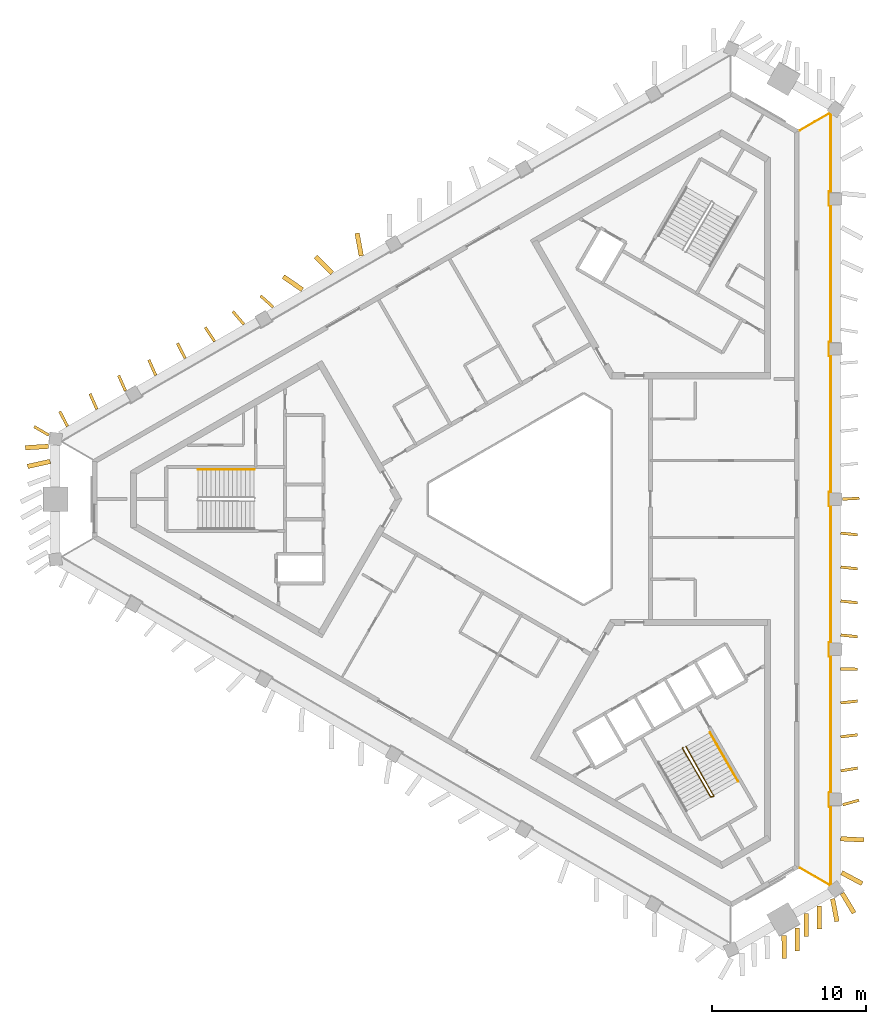
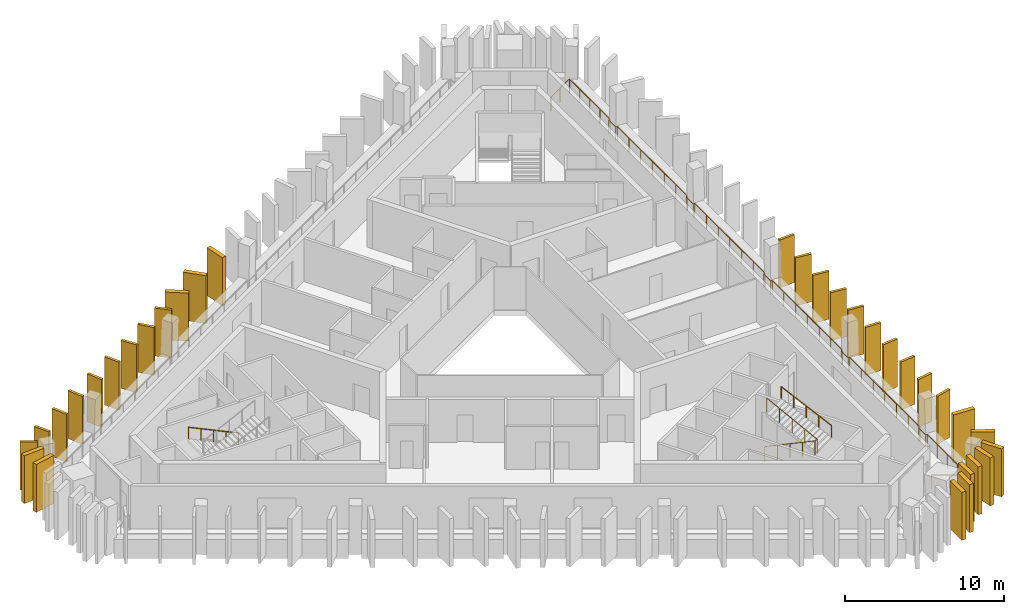
# One storey, part 8 of 9: 32 shading devices, 4 railings.
"""IFC4 building model written with IfcOpenShell, lengths in metres."""

from ifc_helpers import new_model, si_unit, direction, frame, frame_2d, origin, origin_2d, place, context, subcontext, project, spatial, rectangle, circle, extrude, material, layer, layer_set, type_object, element, save


model = new_model("IFC4")

# Units and contexts
model_context = context("Model", 3, precision=1e-05, world=origin(), true_north=direction((0.0, 1.0)))
body_context = subcontext(model_context, "Body", "Model", "MODEL_VIEW")
ifc_project = project(units=[si_unit("LENGTHUNIT", "METRE"), si_unit("AREAUNIT", "SQUARE_METRE"), si_unit("VOLUMEUNIT", "CUBIC_METRE"), si_unit("PLANEANGLEUNIT", "RADIAN"), si_unit("MASSUNIT", "GRAM", prefix="KILO")], contexts=[model_context])

# Site, building, storey
site_placement = place(None, origin())
site = spatial("IfcSite", under=ifc_project, at=site_placement, CompositionType="ELEMENT")
building_placement = place(site_placement, origin())
building = spatial("IfcBuilding", under=site, at=building_placement, Name="Jabali Bay Hotel Tower and Convention Centre", CompositionType="ELEMENT")
storey_placement = place(building_placement, frame((0.0, 0.0, 273.800048828125)))
storey = spatial("IfcBuildingStorey", under=building, at=storey_placement, Name="L67", CompositionType="ELEMENT", Elevation=273.800048828125)

# Railing
ifc_material_1 = material(Name="Glass", Category="glass")
railing_type_1 = type_object("IfcRailingType", Name="Loggia glass guard 1100", PredefinedType="BALUSTRADE", material=ifc_material_1)
railing_1_placement = place(storey_placement, frame((91.77783203125, 103.89501953125, 0.0)))
element("IfcRailing", 1, at=railing_1_placement, inside=storey, type_object=railing_type_1, Name="Loggia glass guard L67", PredefinedType="BALUSTRADE", context=body_context, shape_type="SweptSolid", body=[
    extrude(circle(Radius=0.02490234375, at=origin_2d()), frame((0.0, 0.0, 1.0751953125), z_axis=(0.866035472144, 0.499982560684, 0.0), x_axis=(-0.495705140567, 0.858626418625, 0.13052619222)), (0.0, 0.0, 1.0), 2.27490234375),
    extrude(circle(Radius=0.02490234375, at=origin_2d()), frame((1.97021484375, 1.137451171875, 1.0751953125), z_axis=(0.798426583615, -0.602092177808, 0.0), x_axis=(0.596941195761, 0.791595933509, 0.13052619222)), (0.0, 0.0, 1.0), 0.037353515625),
    extrude(circle(Radius=0.02490234375, at=origin_2d()), frame((2.0, 1.114990234375, 1.0751953125), z_axis=(0.0, -1.0, 0.0), x_axis=(0.991444861374, 0.0, 0.13052619222)), (0.0, 0.0, 1.0), 5.080078125),
    extrude(circle(Radius=0.02490234375, at=origin_2d()), frame((2.0, -3.965087890625, 1.0751953125), z_axis=(-1.0, 0.0, 0.0), x_axis=(0.0, -0.991444861374, 0.13052619222)), (0.0, 0.0, 1.0), 0.099853515625),
    extrude(circle(Radius=0.02490234375, at=origin_2d()), frame((1.900146484375, -3.965087890625, 1.0751953125), z_axis=(0.0, -1.0, 0.0), x_axis=(0.991444861374, 0.0, 0.13052619222)), (0.0, 0.0, 1.0), 0.89990234375),
    extrude(circle(Radius=0.02490234375, at=origin_2d()), frame((1.900146484375, -4.864990234375, 1.0751953125), z_axis=(1.0, 0.0, 0.0), x_axis=(0.0, 0.991444861374, 0.13052619222)), (0.0, 0.0, 1.0), 0.099853515625),
    extrude(circle(Radius=0.02490234375, at=origin_2d()), frame((2.0, -4.864990234375, 1.0751953125), z_axis=(0.0, -1.0, 0.0), x_axis=(0.991444861374, 0.0, 0.13052619222)), (0.0, 0.0, 1.0), 8.840087890625),
    extrude(circle(Radius=0.02490234375, at=origin_2d()), frame((2.0, -13.705078125, 1.0751953125), z_axis=(-1.0, 0.0, 0.0), x_axis=(0.0, -0.991444861374, 0.13052619222)), (0.0, 0.0, 1.0), 0.099853515625),
    extrude(circle(Radius=0.02490234375, at=origin_2d()), frame((1.900146484375, -13.705078125, 1.0751953125), z_axis=(0.0, -1.0, 0.0), x_axis=(0.991444861374, 0.0, 0.13052619222)), (0.0, 0.0, 1.0), 0.89990234375),
    extrude(circle(Radius=0.02490234375, at=origin_2d()), frame((1.900146484375, -14.60498046875, 1.0751953125), z_axis=(1.0, 0.0, 0.0), x_axis=(0.0, 0.991444861374, 0.13052619222)), (0.0, 0.0, 1.0), 0.099853515625),
    extrude(circle(Radius=0.02490234375, at=origin_2d()), frame((2.0, -14.60498046875, 1.0751953125), z_axis=(0.0, -1.0, 0.0), x_axis=(0.991444861374, 0.0, 0.13052619222)), (0.0, 0.0, 1.0), 8.840087890625),
    extrude(circle(Radius=0.02490234375, at=origin_2d()), frame((2.0, -23.445068359375, 1.0751953125), z_axis=(-1.0, 0.0, 0.0), x_axis=(0.0, -0.991444861374, 0.13052619222)), (0.0, 0.0, 1.0), 0.099853515625),
    extrude(circle(Radius=0.02490234375, at=origin_2d()), frame((1.900146484375, -23.445068359375, 1.0751953125), z_axis=(0.0, -1.0, 0.0), x_axis=(0.991444861374, 0.0, 0.13052619222)), (0.0, 0.0, 1.0), 0.89990234375),
    extrude(circle(Radius=0.02490234375, at=origin_2d()), frame((1.900146484375, -24.344970703125, 1.0751953125), z_axis=(1.0, 0.0, 0.0), x_axis=(0.0, 0.991444861374, 0.13052619222)), (0.0, 0.0, 1.0), 0.099853515625),
    extrude(circle(Radius=0.02490234375, at=origin_2d()), frame((2.0, -24.344970703125, 1.0751953125), z_axis=(0.0, -1.0, 0.0), x_axis=(0.991444861374, 0.0, 0.13052619222)), (0.0, 0.0, 1.0), 8.840087890625),
    extrude(circle(Radius=0.02490234375, at=origin_2d()), frame((2.0, -33.18505859375, 1.0751953125), z_axis=(-1.0, 0.0, 0.0), x_axis=(0.0, -0.991444861374, 0.13052619222)), (0.0, 0.0, 1.0), 0.099853515625),
    extrude(circle(Radius=0.02490234375, at=origin_2d()), frame((1.900146484375, -33.18505859375, 1.0751953125), z_axis=(0.0, -1.0, 0.0), x_axis=(0.991444861374, 0.0, 0.13052619222)), (0.0, 0.0, 1.0), 0.89990234375),
    extrude(circle(Radius=0.02490234375, at=origin_2d()), frame((1.900146484375, -34.0849609375, 1.0751953125), z_axis=(1.0, 0.0, 0.0), x_axis=(0.0, 0.991444861374, 0.13052619222)), (0.0, 0.0, 1.0), 0.099853515625),
    extrude(circle(Radius=0.02490234375, at=origin_2d()), frame((2.0, -34.0849609375, 1.0751953125), z_axis=(0.0, -1.0, 0.0), x_axis=(0.991444861374, 0.0, 0.13052619222)), (0.0, 0.0, 1.0), 8.840087890625),
    extrude(circle(Radius=0.02490234375, at=origin_2d()), frame((2.0, -42.925048828125, 1.0751953125), z_axis=(-1.0, 0.0, 0.0), x_axis=(0.0, -0.991444861374, 0.13052619222)), (0.0, 0.0, 1.0), 0.099853515625),
    extrude(circle(Radius=0.02490234375, at=origin_2d()), frame((1.900146484375, -42.925048828125, 1.0751953125), z_axis=(0.0, -1.0, 0.0), x_axis=(0.991444861374, 0.0, 0.13052619222)), (0.0, 0.0, 1.0), 0.89990234375),
    extrude(circle(Radius=0.02490234375, at=origin_2d()), frame((1.900146484375, -43.824951171875, 1.0751953125), z_axis=(1.0, 0.0, 0.0), x_axis=(0.0, 0.991444861374, 0.13052619222)), (0.0, 0.0, 1.0), 0.099853515625),
    extrude(circle(Radius=0.02490234375, at=origin_2d()), frame((2.0, -43.824951171875, 1.0751953125), z_axis=(0.0, -1.0, 0.0), x_axis=(0.991444861374, 0.0, 0.13052619222)), (0.0, 0.0, 1.0), 5.080078125),
    extrude(circle(Radius=0.02490234375, at=origin_2d()), frame((2.0, -48.905029296875, 1.0751953125), z_axis=(-0.798426583615, -0.602092177808, 0.0), x_axis=(0.596941195761, -0.791595933509, 0.13052619222)), (0.0, 0.0, 1.0), 0.037353515625),
    extrude(circle(Radius=0.02490234375, at=origin_2d()), frame((1.97021484375, -48.927490234375, 1.0751953125), z_axis=(-0.866035472144, 0.499982560684, 0.0), x_axis=(-0.495705140567, -0.858626418625, 0.13052619222)), (0.0, 0.0, 1.0), 2.27490234375),
    extrude(circle(Radius=0.02001953125, at=origin_2d()), origin(), (0.0, 0.0, 1.0), 1.050048828125),
    extrude(circle(Radius=0.02001953125, at=origin_2d()), frame((0.985107421875, 0.56884765625, 0.0)), (0.0, 0.0, 1.0), 1.050048828125),
    extrude(circle(Radius=0.02001953125, at=origin_2d()), frame((1.97021484375, 1.137451171875, 0.0)), (0.0, 0.0, 1.0), 1.050048828125),
    extrude(circle(Radius=0.02001953125, at=origin_2d()), frame((2.0, 1.114990234375, 0.0)), (0.0, 0.0, 1.0), 1.050048828125),
    extrude(circle(Radius=0.02001953125, at=origin_2d()), frame((2.0, -0.155029296875, 0.0)), (0.0, 0.0, 1.0), 1.050048828125),
    extrude(circle(Radius=0.02001953125, at=origin_2d()), frame((2.0, -1.425048828125, 0.0)), (0.0, 0.0, 1.0), 1.050048828125),
    extrude(circle(Radius=0.02001953125, at=origin_2d()), frame((2.0, -2.695068359375, 0.0)), (0.0, 0.0, 1.0), 1.050048828125),
    extrude(circle(Radius=0.02001953125, at=origin_2d()), frame((2.0, -3.965087890625, 0.0)), (0.0, 0.0, 1.0), 1.050048828125),
    extrude(circle(Radius=0.02001953125, at=origin_2d()), frame((1.900146484375, -3.965087890625, 0.0)), (0.0, 0.0, 1.0), 1.050048828125),
    extrude(circle(Radius=0.02001953125, at=origin_2d()), frame((1.900146484375, -4.864990234375, 0.0)), (0.0, 0.0, 1.0), 1.050048828125),
    extrude(circle(Radius=0.02001953125, at=origin_2d()), frame((2.0, -4.864990234375, 0.0)), (0.0, 0.0, 1.0), 1.050048828125),
    extrude(circle(Radius=0.02001953125, at=origin_2d()), frame((2.0, -6.33837890625, 0.0)), (0.0, 0.0, 1.0), 1.050048828125),
    extrude(circle(Radius=0.02001953125, at=origin_2d()), frame((2.0, -7.811767578125, 0.0)), (0.0, 0.0, 1.0), 1.050048828125),
    extrude(circle(Radius=0.02001953125, at=origin_2d()), frame((2.0, -9.28515625, 0.0)), (0.0, 0.0, 1.0), 1.050048828125),
    extrude(circle(Radius=0.02001953125, at=origin_2d()), frame((2.0, -10.75830078125, 0.0)), (0.0, 0.0, 1.0), 1.050048828125),
    extrude(circle(Radius=0.02001953125, at=origin_2d()), frame((2.0, -12.231689453125, 0.0)), (0.0, 0.0, 1.0), 1.050048828125),
    extrude(circle(Radius=0.02001953125, at=origin_2d()), frame((2.0, -13.705078125, 0.0)), (0.0, 0.0, 1.0), 1.050048828125),
    extrude(circle(Radius=0.02001953125, at=origin_2d()), frame((1.900146484375, -13.705078125, 0.0)), (0.0, 0.0, 1.0), 1.050048828125),
    extrude(circle(Radius=0.02001953125, at=origin_2d()), frame((1.900146484375, -14.60498046875, 0.0)), (0.0, 0.0, 1.0), 1.050048828125),
    extrude(circle(Radius=0.02001953125, at=origin_2d()), frame((2.0, -14.60498046875, 0.0)), (0.0, 0.0, 1.0), 1.050048828125),
    extrude(circle(Radius=0.02001953125, at=origin_2d()), frame((2.0, -16.078369140625, 0.0)), (0.0, 0.0, 1.0), 1.050048828125),
    extrude(circle(Radius=0.02001953125, at=origin_2d()), frame((2.0, -17.5517578125, 0.0)), (0.0, 0.0, 1.0), 1.050048828125),
    extrude(circle(Radius=0.02001953125, at=origin_2d()), frame((2.0, -19.02490234375, 0.0)), (0.0, 0.0, 1.0), 1.050048828125),
    extrude(circle(Radius=0.02001953125, at=origin_2d()), frame((2.0, -20.498291015625, 0.0)), (0.0, 0.0, 1.0), 1.050048828125),
    extrude(circle(Radius=0.02001953125, at=origin_2d()), frame((2.0, -21.9716796875, 0.0)), (0.0, 0.0, 1.0), 1.050048828125),
    extrude(circle(Radius=0.02001953125, at=origin_2d()), frame((2.0, -23.445068359375, 0.0)), (0.0, 0.0, 1.0), 1.050048828125),
    extrude(circle(Radius=0.02001953125, at=origin_2d()), frame((1.900146484375, -23.445068359375, 0.0)), (0.0, 0.0, 1.0), 1.050048828125),
    extrude(circle(Radius=0.02001953125, at=origin_2d()), frame((1.900146484375, -24.344970703125, 0.0)), (0.0, 0.0, 1.0), 1.050048828125),
    extrude(circle(Radius=0.02001953125, at=origin_2d()), frame((2.0, -24.344970703125, 0.0)), (0.0, 0.0, 1.0), 1.050048828125),
    extrude(circle(Radius=0.02001953125, at=origin_2d()), frame((2.0, -25.818359375, 0.0)), (0.0, 0.0, 1.0), 1.050048828125),
    extrude(circle(Radius=0.02001953125, at=origin_2d()), frame((2.0, -27.291748046875, 0.0)), (0.0, 0.0, 1.0), 1.050048828125),
    extrude(circle(Radius=0.02001953125, at=origin_2d()), frame((2.0, -28.76513671875, 0.0)), (0.0, 0.0, 1.0), 1.050048828125),
    extrude(circle(Radius=0.02001953125, at=origin_2d()), frame((2.0, -30.23828125, 0.0)), (0.0, 0.0, 1.0), 1.050048828125),
    extrude(circle(Radius=0.02001953125, at=origin_2d()), frame((2.0, -31.711669921875, 0.0)), (0.0, 0.0, 1.0), 1.050048828125),
    extrude(circle(Radius=0.02001953125, at=origin_2d()), frame((2.0, -33.18505859375, 0.0)), (0.0, 0.0, 1.0), 1.050048828125),
    extrude(circle(Radius=0.02001953125, at=origin_2d()), frame((1.900146484375, -33.18505859375, 0.0)), (0.0, 0.0, 1.0), 1.050048828125),
    extrude(circle(Radius=0.02001953125, at=origin_2d()), frame((1.900146484375, -34.0849609375, 0.0)), (0.0, 0.0, 1.0), 1.050048828125),
    extrude(circle(Radius=0.02001953125, at=origin_2d()), frame((2.0, -34.0849609375, 0.0)), (0.0, 0.0, 1.0), 1.050048828125),
    extrude(circle(Radius=0.02001953125, at=origin_2d()), frame((2.0, -35.558349609375, 0.0)), (0.0, 0.0, 1.0), 1.050048828125),
    extrude(circle(Radius=0.02001953125, at=origin_2d()), frame((2.0, -37.03173828125, 0.0)), (0.0, 0.0, 1.0), 1.050048828125),
    extrude(circle(Radius=0.02001953125, at=origin_2d()), frame((2.0, -38.5048828125, 0.0)), (0.0, 0.0, 1.0), 1.050048828125),
    extrude(circle(Radius=0.02001953125, at=origin_2d()), frame((2.0, -39.978271484375, 0.0)), (0.0, 0.0, 1.0), 1.050048828125),
    extrude(circle(Radius=0.02001953125, at=origin_2d()), frame((2.0, -41.45166015625, 0.0)), (0.0, 0.0, 1.0), 1.050048828125),
    extrude(circle(Radius=0.02001953125, at=origin_2d()), frame((2.0, -42.925048828125, 0.0)), (0.0, 0.0, 1.0), 1.050048828125),
    extrude(circle(Radius=0.02001953125, at=origin_2d()), frame((1.900146484375, -42.925048828125, 0.0)), (0.0, 0.0, 1.0), 1.050048828125),
    extrude(circle(Radius=0.02001953125, at=origin_2d()), frame((1.900146484375, -43.824951171875, 0.0)), (0.0, 0.0, 1.0), 1.050048828125),
    extrude(circle(Radius=0.02001953125, at=origin_2d()), frame((2.0, -43.824951171875, 0.0)), (0.0, 0.0, 1.0), 1.050048828125),
    extrude(circle(Radius=0.02001953125, at=origin_2d()), frame((2.0, -45.094970703125, 0.0)), (0.0, 0.0, 1.0), 1.050048828125),
    extrude(circle(Radius=0.02001953125, at=origin_2d()), frame((2.0, -46.364990234375, 0.0)), (0.0, 0.0, 1.0), 1.050048828125),
    extrude(circle(Radius=0.02001953125, at=origin_2d()), frame((2.0, -47.635009765625, 0.0)), (0.0, 0.0, 1.0), 1.050048828125),
    extrude(circle(Radius=0.02001953125, at=origin_2d()), frame((2.0, -48.905029296875, 0.0)), (0.0, 0.0, 1.0), 1.050048828125),
    extrude(circle(Radius=0.02001953125, at=origin_2d()), frame((1.97021484375, -48.927490234375, 0.0)), (0.0, 0.0, 1.0), 1.050048828125),
    extrude(circle(Radius=0.02001953125, at=origin_2d()), frame((0.985107421875, -48.35888671875, 0.0)), (0.0, 0.0, 1.0), 1.050048828125),
    extrude(circle(Radius=0.02001953125, at=origin_2d()), frame((0.0, -47.7900390625, 0.0)), (0.0, 0.0, 1.0), 1.050048828125),
])

# Shading devices
ifc_material_2 = material(Name="Precast concrete C60", Category="concrete")
ifc_layer_1 = layer(ifc_material_2, 0.179931640625)
ifc_layer_set_1 = layer_set([ifc_layer_1], Name="Precast concrete C60")
shading_device_type_1 = type_object("IfcShadingDeviceType", Name="Precast fin 3680 x 1100", PredefinedType="USERDEFINED", material=ifc_layer_set_1)
for number, where, z_axis, x_axis, name in (
    (2, (94.55224609375, 60.192626953125, 0.010009765625), (0.0, 0.0, 1.0), (0.96252249259, 0.27120186441, 0.0), "Fin L67 002"),
    (3, (94.43505859375, 62.393310546875, 0.010009765625), (0.0, 0.0, 1.0), (0.986459822312, 0.164003106567, 0.0), "Fin L67 003"),
    (4, (94.431396484375, 64.59423828125, 0.010009765625), (0.0, 0.0, 1.0), (0.992521770363, 0.122067749038, 0.0), "Fin L67 004"),
    (5, (94.43017578125, 66.795166015625, 0.010009765625), (0.0, 0.0, 1.0), (0.993996876482, 0.109408452803, 0.0), "Fin L67 005"),
):
    element("IfcShadingDevice", number, at=place(storey_placement, frame(where, z_axis=z_axis, x_axis=x_axis)), inside=storey, type_object=shading_device_type_1, Name=name, ObjectType="FIN", PredefinedType="USERDEFINED", context=body_context, shape_type="SweptSolid", body=[
        extrude(rectangle(XDim=1.10009765625, YDim=0.179931640625, at=frame_2d((0.550048828125, 0.0))), origin(), (0.0, 0.0, 1.0), 3.679931640625),
    ])
shading_device_1_placement = place(storey_placement, frame((94.421630859375, 68.995849609375, 0.010009765625), z_axis=(0.0, 0.0, 1.0), x_axis=(0.999917132848, -0.012873516916, 0.0)))
element("IfcShadingDevice", 6, at=shading_device_1_placement, inside=storey, type_object=shading_device_type_1, Name="Fin L67 006", ObjectType="FIN", PredefinedType="USERDEFINED", context=body_context, shape_type="SweptSolid", body=[
    extrude(rectangle(XDim=1.099853515625, YDim=0.179931640625, at=frame_2d((0.5498046875, 0.0))), origin(), (0.0, 0.0, 1.0), 3.679931640625),
])
shading_device_2_placement = place(storey_placement, frame((94.4296875, 71.19677734375, 0.010009765625), z_axis=(0.0, 0.0, 1.0), x_axis=(0.994544300928, -0.104315068386, 0.0)))
element("IfcShadingDevice", 7, at=shading_device_2_placement, inside=storey, type_object=shading_device_type_1, Name="Fin L67 007", ObjectType="FIN", PredefinedType="USERDEFINED", context=body_context, shape_type="SweptSolid", body=[
    extrude(rectangle(XDim=1.10009765625, YDim=0.179931640625, at=frame_2d((0.550048828125, 0.0))), origin(), (0.0, 0.0, 1.0), 3.679931640625),
])
for number, where, z_axis, x_axis, name in (
    (8, (94.4296875, 73.3974609375, 0.010009765625), (0.0, 0.0, 1.0), (0.994613165914, -0.103656404482, 0.0), "Fin L67 008"),
    (9, (94.4296875, 75.598388671875, 0.010009765625), (0.0, 0.0, 1.0), (0.994613165914, -0.103656404482, 0.0), "Fin L67 009"),
):
    element("IfcShadingDevice", number, at=place(storey_placement, frame(where, z_axis=z_axis, x_axis=x_axis)), inside=storey, type_object=shading_device_type_1, Name=name, ObjectType="FIN", PredefinedType="USERDEFINED", context=body_context, shape_type="SweptSolid", body=[
        extrude(rectangle(XDim=1.099853515625, YDim=0.179931640625, at=frame_2d((0.5498046875, 0.0))), origin(), (0.0, 0.0, 1.0), 3.679931640625),
    ])
shading_device_3_placement = place(storey_placement, frame((94.429443359375, 77.799072265625, 0.010009765625), z_axis=(0.0, 0.0, 1.0), x_axis=(0.994774504928, -0.102096446289, 0.0)))
element("IfcShadingDevice", 10, at=shading_device_3_placement, inside=storey, type_object=shading_device_type_1, Name="Fin L67 010", ObjectType="FIN", PredefinedType="USERDEFINED", context=body_context, shape_type="SweptSolid", body=[
    extrude(rectangle(XDim=1.10009765625, YDim=0.179931640625, at=frame_2d((0.550048828125, 0.0))), origin(), (0.0, 0.0, 1.0), 3.679931640625),
])
for number, where, z_axis, x_axis, name in (
    (11, (94.53271484375, 80.0, 0.010009765625), (0.0, 0.0, 1.0), (0.998568343983, 0.05349076926, 0.0), "Fin L67 011"),
    (12, (57.65185546875, 92.441162109375, 0.010009765625), (0.0, 0.0, 1.0), (-0.74446291248, 0.667663816559, 0.0), "Fin L67 046"),
):
    element("IfcShadingDevice", number, at=place(storey_placement, frame(where, z_axis=z_axis, x_axis=x_axis)), inside=storey, type_object=shading_device_type_1, Name=name, ObjectType="FIN", PredefinedType="USERDEFINED", context=body_context, shape_type="SweptSolid", body=[
        extrude(rectangle(XDim=1.099853515625, YDim=0.179931640625, at=frame_2d((0.5498046875, 0.0))), origin(), (0.0, 0.0, 1.0), 3.679931640625),
    ])
for number, where, z_axis, x_axis, name in (
    (13, (55.751708984375, 91.3310546875, 0.010009765625), (0.0, 0.0, 1.0), (-0.6523071588, 0.757954728581, 0.0), "Fin L67 047"),
    (14, (53.851318359375, 90.220458984375, 0.010009765625), (0.0, 0.0, 1.0), (-0.54905388345, 0.835786954354, 0.0), "Fin L67 048"),
):
    element("IfcShadingDevice", number, at=place(storey_placement, frame(where, z_axis=z_axis, x_axis=x_axis)), inside=storey, type_object=shading_device_type_1, Name=name, ObjectType="FIN", PredefinedType="USERDEFINED", context=body_context, shape_type="SweptSolid", body=[
        extrude(rectangle(XDim=1.10009765625, YDim=0.179931640625, at=frame_2d((0.550048828125, 0.0))), origin(), (0.0, 0.0, 1.0), 3.679931640625),
    ])
shading_device_4_placement = place(storey_placement, frame((51.945556640625, 89.119873046875, 0.010009765625), z_axis=(0.0, 0.0, 1.0), x_axis=(-0.452355669193, 0.891837624542, 0.0)))
element("IfcShadingDevice", 15, at=shading_device_4_placement, inside=storey, type_object=shading_device_type_1, Name="Fin L67 049", ObjectType="FIN", PredefinedType="USERDEFINED", context=body_context, shape_type="SweptSolid", body=[
    extrude(rectangle(XDim=1.099853515625, YDim=0.179931640625, at=frame_2d((0.5498046875, 0.0))), origin(), (0.0, 0.0, 1.0), 3.679931640625),
])
shading_device_5_placement = place(storey_placement, frame((50.037353515625, 88.0234375, 0.010009765625), z_axis=(0.0, 0.0, 1.0), x_axis=(-0.405005671145, 0.914314172667, 0.0)))
element("IfcShadingDevice", 16, at=shading_device_5_placement, inside=storey, type_object=shading_device_type_1, Name="Fin L67 050", ObjectType="FIN", PredefinedType="USERDEFINED", context=body_context, shape_type="SweptSolid", body=[
    extrude(rectangle(XDim=1.10009765625, YDim=0.179931640625, at=frame_2d((0.550048828125, 0.0))), origin(), (0.0, 0.0, 1.0), 3.679931640625),
])
shading_device_6_placement = place(storey_placement, frame((48.07763671875, 87.01611328125, 0.010009765625), z_axis=(0.0, 0.0, 1.0), x_axis=(-0.406632670459, 0.913591742145, 0.0)))
element("IfcShadingDevice", 17, at=shading_device_6_placement, inside=storey, type_object=shading_device_type_1, Name="Fin L67 051", ObjectType="FIN", PredefinedType="USERDEFINED", context=body_context, shape_type="SweptSolid", body=[
    extrude(rectangle(XDim=1.099853515625, YDim=0.179931640625, at=frame_2d((0.5498046875, 0.0))), origin(), (0.0, 0.0, 1.0), 3.679931640625),
])
shading_device_7_placement = place(storey_placement, frame((46.2255859375, 85.822509765625, 0.010009765625), z_axis=(0.0, 0.0, 1.0), x_axis=(-0.40745587149, 0.913224897158, 0.0)))
element("IfcShadingDevice", 18, at=shading_device_7_placement, inside=storey, type_object=shading_device_type_1, Name="Fin L67 052", ObjectType="FIN", PredefinedType="USERDEFINED", context=body_context, shape_type="SweptSolid", body=[
    extrude(rectangle(XDim=1.10009765625, YDim=0.179931640625, at=frame_2d((0.550048828125, 0.0))), origin(), (0.0, 0.0, 1.0), 3.679931640625),
])
for number, where, z_axis, x_axis, name in (
    (19, (44.322265625, 84.71728515625, 0.010009765625), (0.0, 0.0, 1.0), (-0.462770797404, 0.886477968745, 0.0), "Fin L67 053"),
    (20, (43.108154296875, 84.146728515625, 0.010009765625), (0.0, 0.0, 1.0), (-0.863754745787, 0.503912432006, 0.0), "Fin L67 096"),
):
    element("IfcShadingDevice", number, at=place(storey_placement, frame(where, z_axis=z_axis, x_axis=x_axis)), inside=storey, type_object=shading_device_type_1, Name=name, ObjectType="FIN", PredefinedType="USERDEFINED", context=body_context, shape_type="SweptSolid", body=[
        extrude(rectangle(XDim=1.099853515625, YDim=0.179931640625, at=frame_2d((0.5498046875, 0.0))), origin(), (0.0, 0.0, 1.0), 3.679931640625),
    ])
ifc_layer_2 = layer(ifc_material_2, 0.300048828125)
ifc_layer_set_2 = layer_set([ifc_layer_2], Name="Precast concrete C60")
shading_device_type_2 = type_object("IfcShadingDeviceType", Name="Precast fin 3680 x 1500", PredefinedType="USERDEFINED", material=ifc_layer_set_2)
shading_device_8_placement = place(storey_placement, frame((94.490966796875, 55.791015625, 0.010009765625), z_axis=(0.0, 0.0, 1.0), x_axis=(0.88219519385, -0.470883892215, 0.0)))
element("IfcShadingDevice", 21, at=shading_device_8_placement, inside=storey, type_object=shading_device_type_2, Name="Fin L67 000", ObjectType="FIN", PredefinedType="USERDEFINED", context=body_context, shape_type="SweptSolid", body=[
    extrude(rectangle(XDim=1.5, YDim=0.300048828125, at=frame_2d((0.75, 0.0))), origin(), (0.0, 0.0, 1.0), 3.679931640625),
])
shading_device_9_placement = place(storey_placement, frame((94.42822265625, 57.99169921875, 0.010009765625), z_axis=(0.0, 0.0, 1.0), x_axis=(0.998650904521, -0.051926591449, 0.0)))
element("IfcShadingDevice", 22, at=shading_device_9_placement, inside=storey, type_object=shading_device_type_2, Name="Fin L67 001", ObjectType="FIN", PredefinedType="USERDEFINED", context=body_context, shape_type="SweptSolid", body=[
    extrude(rectangle(XDim=1.499755859375, YDim=0.300048828125, at=frame_2d((0.75, 0.0))), origin(), (0.0, 0.0, 1.0), 3.679931640625),
])
for number, where, z_axis, x_axis, name in (
    (23, (63.35888671875, 95.761474609375, 0.010009765625), (0.0, 0.0, 1.0), (-0.182951820108, 0.983121880297, 0.0), "Fin L67 043"),
    (24, (61.459228515625, 94.64990234375, 0.010009765625), (0.0, 0.0, 1.0), (-0.699579780072, 0.714554498491, 0.0), "Fin L67 044"),
    (25, (59.53955078125, 93.5732421875, 0.010009765625), (0.0, 0.0, 1.0), (-0.824435915884, 0.565955316788, 0.0), "Fin L67 045"),
    (26, (43.080078125, 83.421630859375, 0.010009765625), (0.0, 0.0, 1.0), (-0.998145793651, -0.060868502662, 0.0), "Fin L67 054"),
    (27, (43.1982421875, 82.444091796875, 0.010009765625), (0.0, 0.0, 1.0), (-0.976328538935, -0.216292820178, 0.0), "Fin L67 055"),
    (28, (90.754638671875, 51.734375, 0.010009765625), (0.0, 0.0, 1.0), (0.007649515767, -0.999970742026, 0.0), "Fin L67 088"),
):
    element("IfcShadingDevice", number, at=place(storey_placement, frame(where, z_axis=z_axis, x_axis=x_axis)), inside=storey, type_object=shading_device_type_2, Name=name, ObjectType="FIN", PredefinedType="USERDEFINED", context=body_context, shape_type="SweptSolid", body=[
        extrude(rectangle(XDim=1.5, YDim=0.300048828125, at=frame_2d((0.75, 0.0))), origin(), (0.0, 0.0, 1.0), 3.679931640625),
    ])
shading_device_10_placement = place(storey_placement, frame((91.601318359375, 52.22314453125, 0.010009765625), z_axis=(0.0, 0.0, 1.0), x_axis=(0.007650760936, -0.9999707325, 0.0)))
element("IfcShadingDevice", 29, at=shading_device_10_placement, inside=storey, type_object=shading_device_type_2, Name="Fin L67 089", ObjectType="FIN", PredefinedType="USERDEFINED", context=body_context, shape_type="SweptSolid", body=[
    extrude(rectangle(XDim=1.499755859375, YDim=0.300048828125, at=frame_2d((0.75, 0.0))), origin(), (0.0, 0.0, 1.0), 3.679931640625),
])
shading_device_11_placement = place(storey_placement, frame((92.191650390625, 53.156005859375, 0.010009765625), z_axis=(0.0, 0.0, 1.0), x_axis=(0.007649515767, -0.999970742026, 0.0)))
element("IfcShadingDevice", 30, at=shading_device_11_placement, inside=storey, type_object=shading_device_type_2, Name="Fin L67 090", ObjectType="FIN", PredefinedType="USERDEFINED", context=body_context, shape_type="SweptSolid", body=[
    extrude(rectangle(XDim=1.5, YDim=0.300048828125, at=frame_2d((0.75, 0.0))), origin(), (0.0, 0.0, 1.0), 3.679931640625),
])
shading_device_12_placement = place(storey_placement, frame((93.038330078125, 53.644775390625, 0.010009765625), z_axis=(0.0, 0.0, 1.0), x_axis=(0.007650760936, -0.9999707325, 0.0)))
element("IfcShadingDevice", 31, at=shading_device_12_placement, inside=storey, type_object=shading_device_type_2, Name="Fin L67 091", ObjectType="FIN", PredefinedType="USERDEFINED", context=body_context, shape_type="SweptSolid", body=[
    extrude(rectangle(XDim=1.499755859375, YDim=0.300048828125, at=frame_2d((0.75, 0.0))), origin(), (0.0, 0.0, 1.0), 3.679931640625),
])
for number, where, z_axis, x_axis, name in (
    (32, (93.903076171875, 54.1025390625, 0.010009765625), (0.0, 0.0, 1.0), (0.187658042769, -0.982234421604, 0.0), "Fin L67 092"),
    (33, (94.518310546875, 54.465087890625, 0.010009765625), (0.0, 0.0, 1.0), (0.517078378736, -0.855938052808, 0.0), "Fin L67 093"),
):
    element("IfcShadingDevice", number, at=place(storey_placement, frame(where, z_axis=z_axis, x_axis=x_axis)), inside=storey, type_object=shading_device_type_2, Name=name, ObjectType="FIN", PredefinedType="USERDEFINED", context=body_context, shape_type="SweptSolid", body=[
        extrude(rectangle(XDim=1.5, YDim=0.300048828125, at=frame_2d((0.75, 0.0))), origin(), (0.0, 0.0, 1.0), 3.679931640625),
    ])

# Railings
ifc_material_3 = material(Name="Steel Q355B", Category="steel")
railing_type_2 = type_object("IfcRailingType", Name="Stair guard 1100", PredefinedType="GUARDRAIL", material=ifc_material_3)
railing_2_placement = place(storey_placement, frame((84.199951171875, 63.9150390625, 0.0)))
element("IfcRailing", 34, at=railing_2_placement, inside=storey, type_object=railing_type_2, Name="L67 ST3 stair guard 1", PredefinedType="GUARDRAIL", context=body_context, shape_type="SweptSolid", body=[
    extrude(circle(Radius=0.02392578125, at=origin_2d()), frame((0.0, 0.0, 1.076171875), z_axis=(-0.122196845461, -0.456201556387, 0.881446578591), x_axis=(0.965948051503, -0.258736085224, 0.0)), (0.0, 0.0, 1.0), 0.14990234375),
    extrude(circle(Radius=0.02392578125, at=origin_2d()), frame((-0.018310546875, -0.068359375, 1.2080078125), z_axis=(0.452190331055, -0.783190014029, 0.426775475427), x_axis=(0.866018046521, 0.500012742938, 0.0)), (0.0, 0.0, 1.0), 4.02490234375),
    extrude(circle(Radius=0.02392578125, at=origin_2d()), frame((1.8017578125, -3.220703125, 2.92578125), z_axis=(0.96121063429, 0.275815366736, 0.0), x_axis=(-0.275815366736, 0.96121063429, 0.0)), (0.0, 0.0, 1.0), 0.206298828125),
    extrude(circle(Radius=0.02392578125, at=origin_2d()), frame((2.0, -3.163818359375, 2.92578125), z_axis=(-0.436470229993, 0.780146179382, 0.448180406895), x_axis=(-0.872702246529, -0.488252792008, 0.0)), (0.0, 0.0, 1.0), 4.1279296875),
    extrude(circle(Radius=0.02099609375, at=origin_2d()), origin(), (0.0, 0.0, 1.0), 1.052001953125),
    extrude(circle(Radius=0.02099609375, at=origin_2d()), frame((-0.018310546875, -0.068359375, 0.132080078125)), (0.0, 0.0, 1.0), 1.052001953125),
    extrude(circle(Radius=0.02099609375, at=origin_2d()), frame((0.436767578125, -0.8564453125, 0.5615234375)), (0.0, 0.0, 1.0), 1.052001953125),
    extrude(circle(Radius=0.02099609375, at=origin_2d()), frame((0.8916015625, -1.64453125, 0.990966796875)), (0.0, 0.0, 1.0), 1.052001953125),
    extrude(circle(Radius=0.02099609375, at=origin_2d()), frame((1.3466796875, -2.4326171875, 1.42041015625)), (0.0, 0.0, 1.0), 1.052001953125),
    extrude(circle(Radius=0.02099609375, at=origin_2d()), frame((1.8017578125, -3.220703125, 1.849853515625)), (0.0, 0.0, 1.0), 1.052001953125),
    extrude(circle(Radius=0.02099609375, at=origin_2d()), frame((2.0, -3.163818359375, 1.849853515625)), (0.0, 0.0, 1.0), 1.052001953125),
    extrude(circle(Radius=0.02099609375, at=origin_2d()), frame((1.549560546875, -2.358642578125, 2.3125)), (0.0, 0.0, 1.0), 1.052001953125),
    extrude(circle(Radius=0.02099609375, at=origin_2d()), frame((1.09912109375, -1.5537109375, 2.77490234375)), (0.0, 0.0, 1.0), 1.052001953125),
    extrude(circle(Radius=0.02099609375, at=origin_2d()), frame((0.648681640625, -0.74853515625, 3.2373046875)), (0.0, 0.0, 1.0), 1.052001953125),
    extrude(circle(Radius=0.02099609375, at=origin_2d()), frame((0.1982421875, 0.056640625, 3.699951171875)), (0.0, 0.0, 1.0), 1.052001953125),
])
railing_type_3 = type_object("IfcRailingType", Name="Stair handrail 900", PredefinedType="HANDRAIL", material=ifc_material_3)
railing_3_placement = place(storey_placement, frame((56.419921875, 81.925048828125, 0.132080078125)))
element("IfcRailing", 35, at=railing_3_placement, inside=storey, type_object=railing_type_3, Name="L67 ST1 stair handrail 1", PredefinedType="HANDRAIL", context=body_context, shape_type="SweptSolid", body=[
    extrude(circle(Radius=0.02392578125, at=origin_2d()), frame((0.0, 0.0, 0.8759765625), z_axis=(-0.904350763662, 0.0, 0.426789990819), x_axis=(0.0, -1.0, 0.0)), (0.0, 0.0, 1.0), 4.02490234375),
    extrude(circle(Radius=0.02099609375, at=origin_2d()), origin(), (0.0, 0.0, 1.0), 0.851806640625),
    extrude(circle(Radius=0.02099609375, at=origin_2d()), frame((-0.909912109375, 0.0, 0.429443359375)), (0.0, 0.0, 1.0), 0.851806640625),
    extrude(circle(Radius=0.02099609375, at=origin_2d()), frame((-1.81982421875, 0.0, 0.85888671875)), (0.0, 0.0, 1.0), 0.851806640625),
    extrude(circle(Radius=0.02099609375, at=origin_2d()), frame((-2.72998046875, 0.0, 1.288330078125)), (0.0, 0.0, 1.0), 0.851806640625),
    extrude(circle(Radius=0.02099609375, at=origin_2d()), frame((-3.639892578125, 0.0, 1.7177734375)), (0.0, 0.0, 1.0), 0.851806640625),
])
railing_4_placement = place(storey_placement, frame((87.777099609375, 61.719482421875, 1.982177734375)))
element("IfcRailing", 36, at=railing_4_placement, inside=storey, type_object=railing_type_3, Name="L67 ST3 stair handrail 2", PredefinedType="HANDRAIL", context=body_context, shape_type="SweptSolid", body=[
    extrude(circle(Radius=0.02392578125, at=origin_2d()), frame((0.0, 0.0, 0.8759765625), z_axis=(-0.452190331055, 0.783190014029, 0.426775475427), x_axis=(-0.866018046521, -0.500012742938, 0.0)), (0.0, 0.0, 1.0), 4.02490234375),
    extrude(circle(Radius=0.02099609375, at=origin_2d()), origin(), (0.0, 0.0, 1.0), 0.851806640625),
    extrude(circle(Radius=0.02099609375, at=origin_2d()), frame((-0.455078125, 0.7880859375, 0.429443359375)), (0.0, 0.0, 1.0), 0.851806640625),
    extrude(circle(Radius=0.02099609375, at=origin_2d()), frame((-0.91015625, 1.576171875, 0.85888671875)), (0.0, 0.0, 1.0), 0.851806640625),
    extrude(circle(Radius=0.02099609375, at=origin_2d()), frame((-1.364990234375, 2.3642578125, 1.288330078125)), (0.0, 0.0, 1.0), 0.851806640625),
    extrude(circle(Radius=0.02099609375, at=origin_2d()), frame((-1.820068359375, 3.15234375, 1.7177734375)), (0.0, 0.0, 1.0), 0.851806640625),
])

save(model, "model.ifc")
